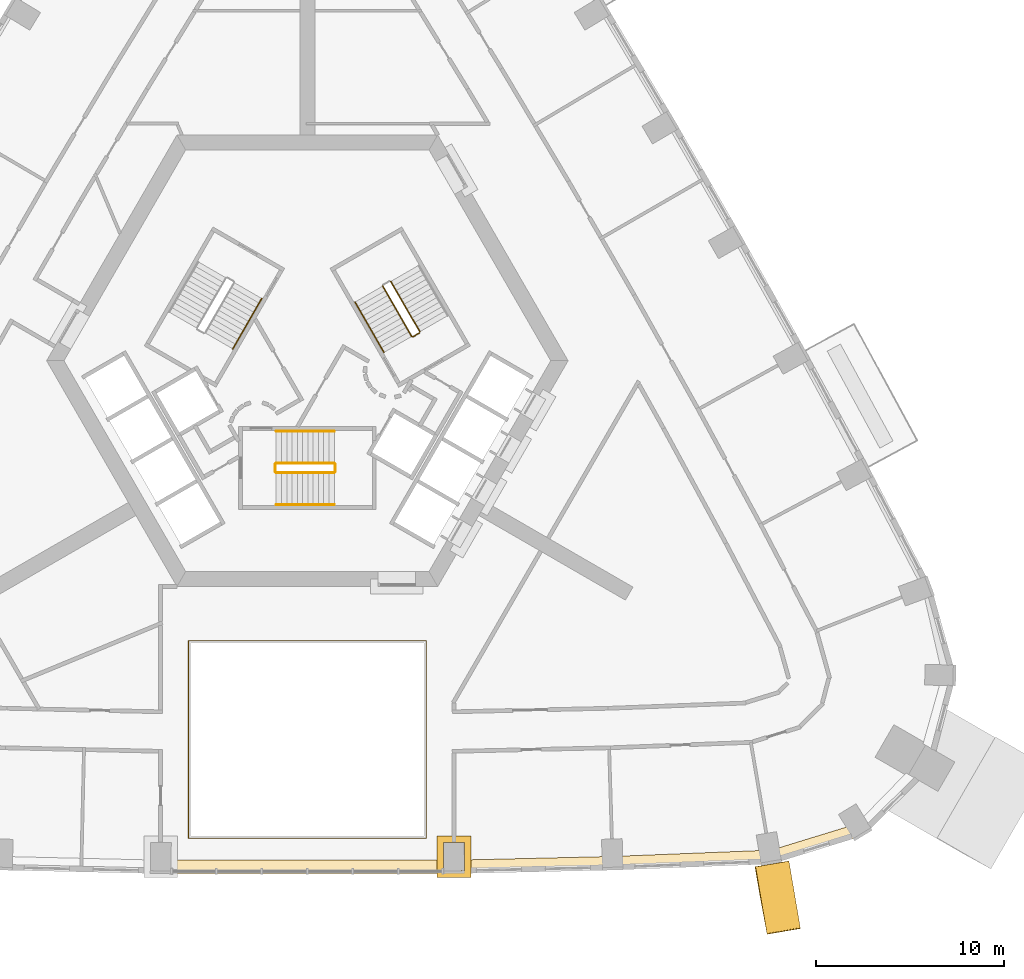
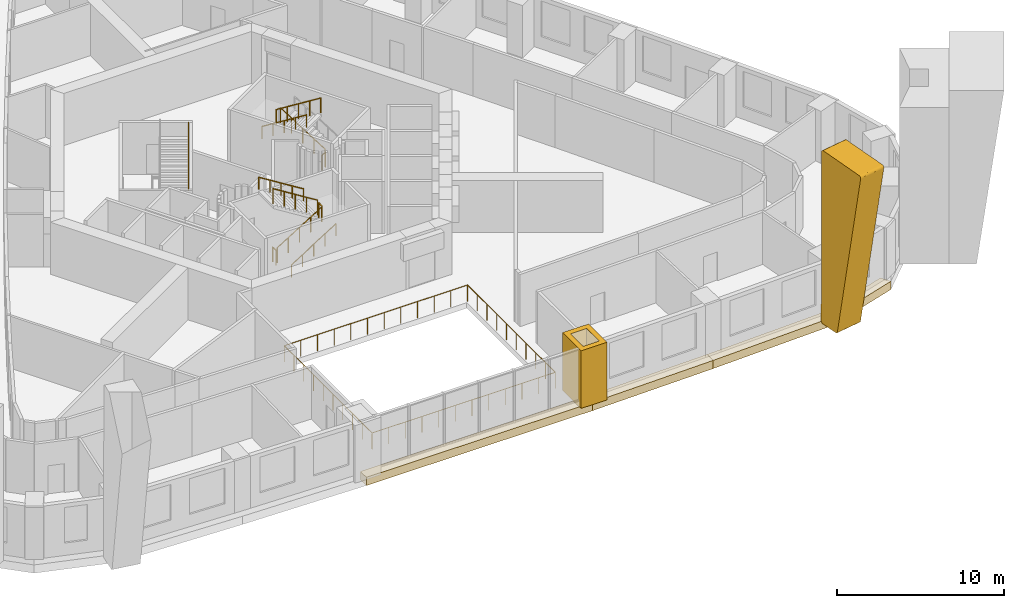
# One storey, part 13 of 15: 12 railings, 6 coverings.
"""IFC4 building model written with IfcOpenShell, lengths in metres."""

from ifc_helpers import new_model, si_unit, direction, frame, origin, origin_2d, place, context, subcontext, project, spatial, polyline, circle, outline, extrude, material, type_object, element, save


model = new_model("IFC4")

# Units and contexts
model_context = context("Model", 3, precision=1e-05, world=origin(), true_north=direction((0.0, 1.0)))
body_context = subcontext(model_context, "Body", "Model", "MODEL_VIEW")
ifc_project = project(units=[si_unit("LENGTHUNIT", "METRE"), si_unit("AREAUNIT", "SQUARE_METRE"), si_unit("VOLUMEUNIT", "CUBIC_METRE"), si_unit("PLANEANGLEUNIT", "RADIAN"), si_unit("MASSUNIT", "GRAM", prefix="KILO")], contexts=[model_context])

# Site, building, storey
site_placement = place(None, origin())
site = spatial("IfcSite", under=ifc_project, at=site_placement, CompositionType="ELEMENT")
building_placement = place(site_placement, origin())
building = spatial("IfcBuilding", under=site, at=building_placement, Name="Entoto Arch Interchange Tower", CompositionType="ELEMENT")
storey_placement = place(building_placement, frame((0.0, 0.0, 150.800048828125)))
storey = spatial("IfcBuildingStorey", under=building, at=storey_placement, Name="L33", CompositionType="ELEMENT", Elevation=150.800048828125)

# Railing
ifc_material_1 = material(Name="Stainless steel 1.4301", Category="steel")
railing_type_1 = type_object("IfcRailingType", Name="ATRIUM GUARD 1200 STEEL AND GLASS", PredefinedType="GUARDRAIL", material=ifc_material_1)
railing_1_placement = place(storey_placement, frame((6.320068359375, -22.876953125, 0.0)))
element("IfcRailing", 1, at=railing_1_placement, inside=storey, type_object=railing_type_1, Name="Atrium guard L33", PredefinedType="GUARDRAIL", context=body_context, shape_type="SweptSolid", body=[
    extrude(circle(Radius=0.02392578125, at=origin_2d()), frame((0.0, 0.0, 1.17578125), z_axis=(-1.0, 0.0, 0.0), x_axis=(0.0, -1.0, 0.0)), (0.0, 0.0, 1.0), 12.64013671875),
    extrude(circle(Radius=0.02392578125, at=origin_2d()), frame((-12.64013671875, 0.0, 1.17578125), z_axis=(0.0, 1.0, 0.0), x_axis=(-1.0, 0.0, 0.0)), (0.0, 0.0, 1.0), 10.4970703125),
    extrude(circle(Radius=0.02392578125, at=origin_2d()), frame((-12.64013671875, 10.4970703125, 1.17578125), z_axis=(1.0, 0.0, 0.0), x_axis=(0.0, 1.0, 0.0)), (0.0, 0.0, 1.0), 12.64013671875),
    extrude(circle(Radius=0.02392578125, at=origin_2d()), frame((0.0, 10.4970703125, 1.17578125), z_axis=(0.0, -1.0, 0.0), x_axis=(1.0, 0.0, 0.0)), (0.0, 0.0, 1.0), 10.4970703125),
    extrude(circle(Radius=0.02099609375, at=origin_2d()), origin(), (0.0, 0.0, 1.0), 1.15185546875),
    extrude(circle(Radius=0.02099609375, at=origin_2d()), frame((-1.149169921875, 0.0, 0.0)), (0.0, 0.0, 1.0), 1.15185546875),
    extrude(circle(Radius=0.02099609375, at=origin_2d()), frame((-2.298095703125, 0.0, 0.0)), (0.0, 0.0, 1.0), 1.15185546875),
    extrude(circle(Radius=0.02099609375, at=origin_2d()), frame((-3.447265625, 0.0, 0.0)), (0.0, 0.0, 1.0), 1.15185546875),
    extrude(circle(Radius=0.02099609375, at=origin_2d()), frame((-4.596435546875, 0.0, 0.0)), (0.0, 0.0, 1.0), 1.15185546875),
    extrude(circle(Radius=0.02099609375, at=origin_2d()), frame((-5.74560546875, 0.0, 0.0)), (0.0, 0.0, 1.0), 1.15185546875),
    extrude(circle(Radius=0.02099609375, at=origin_2d()), frame((-6.89453125, 0.0, 0.0)), (0.0, 0.0, 1.0), 1.15185546875),
    extrude(circle(Radius=0.02099609375, at=origin_2d()), frame((-8.043701171875, 0.0, 0.0)), (0.0, 0.0, 1.0), 1.15185546875),
    extrude(circle(Radius=0.02099609375, at=origin_2d()), frame((-9.19287109375, 0.0, 0.0)), (0.0, 0.0, 1.0), 1.15185546875),
    extrude(circle(Radius=0.02099609375, at=origin_2d()), frame((-10.342041015625, 0.0, 0.0)), (0.0, 0.0, 1.0), 1.15185546875),
    extrude(circle(Radius=0.02099609375, at=origin_2d()), frame((-11.490966796875, 0.0, 0.0)), (0.0, 0.0, 1.0), 1.15185546875),
    extrude(circle(Radius=0.02099609375, at=origin_2d()), frame((-12.64013671875, 0.0, 0.0)), (0.0, 0.0, 1.0), 1.15185546875),
    extrude(circle(Radius=0.02099609375, at=origin_2d()), frame((-12.64013671875, 1.166259765625, 0.0)), (0.0, 0.0, 1.0), 1.15185546875),
    extrude(circle(Radius=0.02099609375, at=origin_2d()), frame((-12.64013671875, 2.332763671875, 0.0)), (0.0, 0.0, 1.0), 1.15185546875),
    extrude(circle(Radius=0.02099609375, at=origin_2d()), frame((-12.64013671875, 3.4990234375, 0.0)), (0.0, 0.0, 1.0), 1.15185546875),
    extrude(circle(Radius=0.02099609375, at=origin_2d()), frame((-12.64013671875, 4.665283203125, 0.0)), (0.0, 0.0, 1.0), 1.15185546875),
    extrude(circle(Radius=0.02099609375, at=origin_2d()), frame((-12.64013671875, 5.831787109375, 0.0)), (0.0, 0.0, 1.0), 1.15185546875),
    extrude(circle(Radius=0.02099609375, at=origin_2d()), frame((-12.64013671875, 6.998046875, 0.0)), (0.0, 0.0, 1.0), 1.15185546875),
    extrude(circle(Radius=0.02099609375, at=origin_2d()), frame((-12.64013671875, 8.164306640625, 0.0)), (0.0, 0.0, 1.0), 1.15185546875),
    extrude(circle(Radius=0.02099609375, at=origin_2d()), frame((-12.64013671875, 9.330810546875, 0.0)), (0.0, 0.0, 1.0), 1.15185546875),
    extrude(circle(Radius=0.02099609375, at=origin_2d()), frame((-12.64013671875, 10.4970703125, 0.0)), (0.0, 0.0, 1.0), 1.15185546875),
    extrude(circle(Radius=0.02099609375, at=origin_2d()), frame((-11.490966796875, 10.4970703125, 0.0)), (0.0, 0.0, 1.0), 1.15185546875),
    extrude(circle(Radius=0.02099609375, at=origin_2d()), frame((-10.342041015625, 10.4970703125, 0.0)), (0.0, 0.0, 1.0), 1.15185546875),
    extrude(circle(Radius=0.02099609375, at=origin_2d()), frame((-9.19287109375, 10.4970703125, 0.0)), (0.0, 0.0, 1.0), 1.15185546875),
    extrude(circle(Radius=0.02099609375, at=origin_2d()), frame((-8.043701171875, 10.4970703125, 0.0)), (0.0, 0.0, 1.0), 1.15185546875),
    extrude(circle(Radius=0.02099609375, at=origin_2d()), frame((-6.89453125, 10.4970703125, 0.0)), (0.0, 0.0, 1.0), 1.15185546875),
    extrude(circle(Radius=0.02099609375, at=origin_2d()), frame((-5.74560546875, 10.4970703125, 0.0)), (0.0, 0.0, 1.0), 1.15185546875),
    extrude(circle(Radius=0.02099609375, at=origin_2d()), frame((-4.596435546875, 10.4970703125, 0.0)), (0.0, 0.0, 1.0), 1.15185546875),
    extrude(circle(Radius=0.02099609375, at=origin_2d()), frame((-3.447265625, 10.4970703125, 0.0)), (0.0, 0.0, 1.0), 1.15185546875),
    extrude(circle(Radius=0.02099609375, at=origin_2d()), frame((-2.298095703125, 10.4970703125, 0.0)), (0.0, 0.0, 1.0), 1.15185546875),
    extrude(circle(Radius=0.02099609375, at=origin_2d()), frame((-1.149169921875, 10.4970703125, 0.0)), (0.0, 0.0, 1.0), 1.15185546875),
    extrude(circle(Radius=0.02099609375, at=origin_2d()), frame((0.0, 10.4970703125, 0.0)), (0.0, 0.0, 1.0), 1.15185546875),
    extrude(circle(Radius=0.02099609375, at=origin_2d()), frame((0.0, 9.330810546875, 0.0)), (0.0, 0.0, 1.0), 1.15185546875),
    extrude(circle(Radius=0.02099609375, at=origin_2d()), frame((0.0, 8.164306640625, 0.0)), (0.0, 0.0, 1.0), 1.15185546875),
    extrude(circle(Radius=0.02099609375, at=origin_2d()), frame((0.0, 6.998046875, 0.0)), (0.0, 0.0, 1.0), 1.15185546875),
    extrude(circle(Radius=0.02099609375, at=origin_2d()), frame((0.0, 5.831787109375, 0.0)), (0.0, 0.0, 1.0), 1.15185546875),
    extrude(circle(Radius=0.02099609375, at=origin_2d()), frame((0.0, 4.665283203125, 0.0)), (0.0, 0.0, 1.0), 1.15185546875),
    extrude(circle(Radius=0.02099609375, at=origin_2d()), frame((0.0, 3.4990234375, 0.0)), (0.0, 0.0, 1.0), 1.15185546875),
    extrude(circle(Radius=0.02099609375, at=origin_2d()), frame((0.0, 2.332763671875, 0.0)), (0.0, 0.0, 1.0), 1.15185546875),
    extrude(circle(Radius=0.02099609375, at=origin_2d()), frame((0.0, 1.166259765625, 0.0)), (0.0, 0.0, 1.0), 1.15185546875),
])

# Coverings
ifc_material_2 = material(Name="Board-marked precast concrete C50/60", Category="concrete")
covering_type_1 = type_object("IfcCoveringType", Name="PRECAST FRAME COURSE", PredefinedType="CLADDING", material=ifc_material_2)
covering_1_placement = place(storey_placement, frame((23.806884765625, -24.541015625, -0.400146484375), z_axis=(-0.985756546271, -0.168152264257, 0.002974476371), x_axis=(-0.166871384591, 0.980142520278, 0.107119470439)))
element("IfcCovering", 2, at=covering_1_placement, inside=storey, type_object=covering_type_1, Name="Fold rib S06 L33-L35", PredefinedType="CLADDING", context=body_context, shape_type="SweptSolid", body=[
    extrude(outline(polyline([(0.0, 0.0), (0.02963060076187693, 4.336808689942018e-19), (0.05760446013113423, -0.004842887867986544), (0.0854181790015629, -0.016089183901578423), (0.10964622774978716, -0.03263148020864722), (0.13129898038714857, -0.053380763590021044), (0.1470795439901717, -0.07770987449791829), (0.15910383546700593, -0.10465457240726114), (0.16525042061444467, -0.13321167288811095), (1.4826149598529654, -12.36256836738945), (1.481177082932468, -12.406922530597212), (1.4662077328527283, -12.44782277498324), (1.4406869524388017, -12.483721865618584), (1.4055913218200977, -12.510587203943208), (1.3782431136058442, -12.521635042243782), (1.3495056108130217, -12.527677753500083), (-1.9780020281978015, -12.886183654812212), (-2.020995624487348, -12.884676723648356), (-2.0495487552521086, -12.876703942024463), (-2.0753919061563666, -12.86352757562328), (-2.0976472625660083, -12.84578863456277), (-2.1162530800797232, -12.823729741719866), (-2.1358087144468345, -12.784582000552293), (-2.1429124700242324, -12.756127534216196), (-2.1441102426853598, -12.727036825714443), (-1.3408538431317238, -0.2552082765175158), (-1.3270508811976442, -0.21246878794264573), (-1.3004382466041189, -0.17547046545956121), (-1.2655819085929045, -0.14863078567112628), (-1.223248656492751, -0.1327752539433725), (0.0, 0.0)])), origin(), (0.0, 0.0, -1.0), 1.800048828125),
])
covering_2_placement = place(storey_placement, frame((0.0, 0.0, -0.400146484375)))
element("IfcCovering", 3, at=covering_2_placement, inside=storey, type_object=covering_type_1, Name="Gate pier L33", PredefinedType="CLADDING", context=body_context, shape_type="SweptSolid", body=[
    extrude(outline(polyline([(6.888916015625, -22.757080078125), (8.68896484375, -22.757080078125), (8.68896484375, -24.95703125), (6.888916015625, -24.95703125), (6.888916015625, -22.757080078125)]), holes=[polyline([(7.239013671875, -23.10693359375), (7.239013671875, -24.60693359375), (8.339111328125, -24.60693359375), (8.339111328125, -23.10693359375), (7.239013671875, -23.10693359375)])]), origin(), (0.0, 0.0, 1.0), 4.2001953125),
])
covering_type_2 = type_object("IfcCoveringType", Name="PRECAST LEDGE COURSE", PredefinedType="CLADDING", material=ifc_material_2)
covering_3_placement = place(storey_placement, frame((0.0, 0.0, -1.0)))
element("IfcCovering", 4, at=covering_3_placement, inside=storey, type_object=covering_type_2, Name="Precast course S-03 L33", PredefinedType="CLADDING", context=body_context, shape_type="SweptSolid", body=[
    extrude(outline(polyline([(7.800048828125, -24.041015625), (7.800048828125, -24.757080078125), (-7.800048828125, -24.757080078125), (-7.800048828125, -24.041015625), (7.800048828125, -24.041015625)])), origin(), (0.0, 0.0, 1.0), 0.599853515625),
])
covering_4_placement = place(storey_placement, frame((0.0, 0.0, -1.0)))
element("IfcCovering", 5, at=covering_4_placement, inside=storey, type_object=covering_type_2, Name="Precast course S-04 L33", PredefinedType="CLADDING", context=body_context, shape_type="SweptSolid", body=[
    extrude(outline(polyline([(16.23388671875, -23.842041015625), (16.23388671875, -24.56591796875), (7.800048828125, -24.757080078125), (7.800048828125, -24.041015625), (16.23388671875, -23.842041015625)])), origin(), (0.0, 0.0, 1.0), 0.599853515625),
])
covering_5_placement = place(storey_placement, frame((0.0, 0.0, -1.0)))
element("IfcCovering", 6, at=covering_5_placement, inside=storey, type_object=covering_type_2, Name="Precast course S-05 L33", PredefinedType="CLADDING", context=body_context, shape_type="SweptSolid", body=[
    extrude(outline(polyline([(24.6689453125, -23.5048828125), (24.6689453125, -24.241943359375), (16.23388671875, -24.56591796875), (16.23388671875, -23.842041015625), (24.6689453125, -23.5048828125)])), origin(), (0.0, 0.0, 1.0), 0.599853515625),
])
covering_6_placement = place(storey_placement, frame((0.0, 0.0, -1.0)))
element("IfcCovering", 7, at=covering_6_placement, inside=storey, type_object=covering_type_2, Name="Precast course SE-01 L33", PredefinedType="CLADDING", context=body_context, shape_type="SweptSolid", body=[
    extrude(outline(polyline([(29.176025390625, -22.1201171875), (29.551025390625, -22.735107421875), (24.6689453125, -24.241943359375), (24.6689453125, -23.5048828125), (29.176025390625, -22.1201171875)])), origin(), (0.0, 0.0, 1.0), 0.599853515625),
])

# Railings
railing_type_2 = type_object("IfcRailingType", Name="STAIR GUARD 1100 STEEL", PredefinedType="GUARDRAIL", material=ifc_material_1)
railing_2_placement = place(storey_placement, frame((-1.64990234375, -3.449951171875, 0.175048828125)))
element("IfcRailing", 8, at=railing_2_placement, inside=storey, type_object=railing_type_2, Name="L33 ST-S stair guard 1", PredefinedType="GUARDRAIL", context=body_context, shape_type="SweptSolid", body=[
    extrude(circle(Radius=0.02392578125, at=origin_2d()), frame((0.0, 0.0, 1.076171875), z_axis=(0.848009633417, 0.0, 0.529980812513), x_axis=(0.0, 1.0, 0.0)), (0.0, 0.0, 1.0), 3.6318359375),
    extrude(circle(Radius=0.02099609375, at=origin_2d()), origin(), (0.0, 0.0, 1.0), 1.052001953125),
    extrude(circle(Radius=0.02099609375, at=origin_2d()), frame((0.77001953125, 0.0, 0.481201171875)), (0.0, 0.0, 1.0), 1.052001953125),
    extrude(circle(Radius=0.02099609375, at=origin_2d()), frame((1.5400390625, 0.0, 0.96240234375)), (0.0, 0.0, 1.0), 1.052001953125),
    extrude(circle(Radius=0.02099609375, at=origin_2d()), frame((2.309814453125, 0.0, 1.443603515625)), (0.0, 0.0, 1.0), 1.052001953125),
    extrude(circle(Radius=0.02099609375, at=origin_2d()), frame((3.079833984375, 0.0, 1.9248046875)), (0.0, 0.0, 1.0), 1.052001953125),
])
railing_3_placement = place(storey_placement, frame((1.47998046875, -3.39990234375, 2.099853515625)))
element("IfcRailing", 9, at=railing_3_placement, inside=storey, type_object=railing_type_2, Name="L33 ST-S stair guard 2", PredefinedType="GUARDRAIL", context=body_context, shape_type="SweptSolid", body=[
    extrude(circle(Radius=0.02392578125, at=origin_2d()), frame((0.0, 0.0, 1.076171875), z_axis=(0.0, 1.0, 0.0), x_axis=(-1.0, 0.0, 0.0)), (0.0, 0.0, 1.0), 0.39990234375),
    extrude(circle(Radius=0.02099609375, at=origin_2d()), origin(), (0.0, 0.0, 1.0), 1.052001953125),
    extrude(circle(Radius=0.02099609375, at=origin_2d()), frame((0.0, 0.39990234375, 0.0)), (0.0, 0.0, 1.0), 1.052001953125),
])
railing_4_placement = place(storey_placement, frame((1.429931640625, -2.949951171875, 2.27490234375)))
element("IfcRailing", 10, at=railing_4_placement, inside=storey, type_object=railing_type_2, Name="L33 ST-S stair guard 3", PredefinedType="GUARDRAIL", context=body_context, shape_type="SweptSolid", body=[
    extrude(circle(Radius=0.02392578125, at=origin_2d()), frame((0.0, 0.0, 1.076171875), z_axis=(-0.847979421464, 0.0, 0.530029150871), x_axis=(0.0, -1.0, 0.0)), (0.0, 0.0, 1.0), 3.632080078125),
    extrude(circle(Radius=0.02099609375, at=origin_2d()), origin(), (0.0, 0.0, 1.0), 1.052001953125),
    extrude(circle(Radius=0.02099609375, at=origin_2d()), frame((-0.77001953125, 0.0, 0.481201171875)), (0.0, 0.0, 1.0), 1.052001953125),
    extrude(circle(Radius=0.02099609375, at=origin_2d()), frame((-1.5400390625, 0.0, 0.96240234375)), (0.0, 0.0, 1.0), 1.052001953125),
    extrude(circle(Radius=0.02099609375, at=origin_2d()), frame((-2.309814453125, 0.0, 1.44384765625)), (0.0, 0.0, 1.0), 1.052001953125),
    extrude(circle(Radius=0.02099609375, at=origin_2d()), frame((-3.079833984375, 0.0, 1.925048828125)), (0.0, 0.0, 1.0), 1.052001953125),
])
railing_5_placement = place(storey_placement, frame((-1.699951171875, -3.39990234375, 0.0)))
element("IfcRailing", 11, at=railing_5_placement, inside=storey, type_object=railing_type_2, Name="L33 ST-S stair guard 4", PredefinedType="GUARDRAIL", context=body_context, shape_type="SweptSolid", body=[
    extrude(circle(Radius=0.02392578125, at=origin_2d()), frame((0.0, 0.0, 1.076171875), z_axis=(0.0, 1.0, 0.0), x_axis=(-1.0, 0.0, 0.0)), (0.0, 0.0, 1.0), 0.39990234375),
    extrude(circle(Radius=0.02099609375, at=origin_2d()), origin(), (0.0, 0.0, 1.0), 1.052001953125),
    extrude(circle(Radius=0.02099609375, at=origin_2d()), frame((0.0, 0.39990234375, 0.0)), (0.0, 0.0, 1.0), 1.052001953125),
])
railing_6_placement = place(storey_placement, frame((5.977783203125, 4.046142578125, 0.175048828125)))
element("IfcRailing", 12, at=railing_6_placement, inside=storey, type_object=railing_type_2, Name="L33 ST-NE stair guard 1", PredefinedType="GUARDRAIL", context=body_context, shape_type="SweptSolid", body=[
    extrude(circle(Radius=0.02392578125, at=origin_2d()), frame((0.0, 0.0, 1.076171875), z_axis=(-0.42403051051, 0.734390191396, 0.529970917068), x_axis=(-0.866010015463, -0.500026652407, 0.0)), (0.0, 0.0, 1.0), 3.6318359375),
    extrude(circle(Radius=0.02099609375, at=origin_2d()), origin(), (0.0, 0.0, 1.0), 1.052001953125),
    extrude(circle(Radius=0.02099609375, at=origin_2d()), frame((-0.385009765625, 0.666748046875, 0.481201171875)), (0.0, 0.0, 1.0), 1.052001953125),
    extrude(circle(Radius=0.02099609375, at=origin_2d()), frame((-0.77001953125, 1.33349609375, 0.96240234375)), (0.0, 0.0, 1.0), 1.052001953125),
    extrude(circle(Radius=0.02099609375, at=origin_2d()), frame((-1.155029296875, 2.00048828125, 1.443603515625)), (0.0, 0.0, 1.0), 1.052001953125),
    extrude(circle(Radius=0.02099609375, at=origin_2d()), frame((-1.5400390625, 2.667236328125, 1.9248046875)), (0.0, 0.0, 1.0), 1.052001953125),
])
railing_7_placement = place(storey_placement, frame((4.0048828125, 6.46337890625, 2.27490234375)))
element("IfcRailing", 13, at=railing_7_placement, inside=storey, type_object=railing_type_2, Name="L33 ST-NE stair guard 3", PredefinedType="GUARDRAIL", context=body_context, shape_type="SweptSolid", body=[
    extrude(circle(Radius=0.02392578125, at=origin_2d()), frame((0.0, 0.0, 1.076171875), z_axis=(0.424015404183, -0.734364028329, 0.530019255228), x_axis=(0.866010015463, 0.500026652407, 0.0)), (0.0, 0.0, 1.0), 3.632080078125),
    extrude(circle(Radius=0.02099609375, at=origin_2d()), origin(), (0.0, 0.0, 1.0), 1.052001953125),
    extrude(circle(Radius=0.02099609375, at=origin_2d()), frame((0.385009765625, -0.666748046875, 0.481201171875)), (0.0, 0.0, 1.0), 1.052001953125),
    extrude(circle(Radius=0.02099609375, at=origin_2d()), frame((0.77001953125, -1.33349609375, 0.96240234375)), (0.0, 0.0, 1.0), 1.052001953125),
    extrude(circle(Radius=0.02099609375, at=origin_2d()), frame((1.155029296875, -2.00048828125, 1.44384765625)), (0.0, 0.0, 1.0), 1.052001953125),
    extrude(circle(Radius=0.02099609375, at=origin_2d()), frame((1.5400390625, -2.667236328125, 1.925048828125)), (0.0, 0.0, 1.0), 1.052001953125),
])
railing_8_placement = place(storey_placement, frame((5.95947265625, 3.977783203125, 0.0)))
element("IfcRailing", 14, at=railing_8_placement, inside=storey, type_object=railing_type_2, Name="L33 ST-NE stair guard 4", PredefinedType="GUARDRAIL", context=body_context, shape_type="SweptSolid", body=[
    extrude(circle(Radius=0.02392578125, at=origin_2d()), frame((0.0, 0.0, 1.076171875), z_axis=(-0.866094119867, -0.499880961361, 0.0), x_axis=(0.499880961361, -0.866094119867, 0.0)), (0.0, 0.0, 1.0), 0.39990234375),
    extrude(circle(Radius=0.02099609375, at=origin_2d()), origin(), (0.0, 0.0, 1.0), 1.052001953125),
    extrude(circle(Radius=0.02099609375, at=origin_2d()), frame((-0.346435546875, -0.199951171875, 0.0)), (0.0, 0.0, 1.0), 1.052001953125),
])
railing_type_3 = type_object("IfcRailingType", Name="STAIR HANDRAIL 900 STEEL", PredefinedType="HANDRAIL", material=ifc_material_1)
railing_9_placement = place(storey_placement, frame((-1.64990234375, -5.14990234375, 0.175048828125)))
element("IfcRailing", 15, at=railing_9_placement, inside=storey, type_object=railing_type_3, Name="L33 ST-S stair handrail 1", PredefinedType="HANDRAIL", context=body_context, shape_type="SweptSolid", body=[
    extrude(circle(Radius=0.02392578125, at=origin_2d()), frame((0.0, 0.0, 0.8759765625), z_axis=(0.848009633417, 0.0, 0.529980812513), x_axis=(0.0, 1.0, 0.0)), (0.0, 0.0, 1.0), 3.6318359375),
    extrude(circle(Radius=0.02099609375, at=origin_2d()), origin(), (0.0, 0.0, 1.0), 0.851806640625),
    extrude(circle(Radius=0.02099609375, at=origin_2d()), frame((0.77001953125, 0.0, 0.481201171875)), (0.0, 0.0, 1.0), 0.851806640625),
    extrude(circle(Radius=0.02099609375, at=origin_2d()), frame((1.5400390625, 0.0, 0.96240234375)), (0.0, 0.0, 1.0), 0.851806640625),
    extrude(circle(Radius=0.02099609375, at=origin_2d()), frame((2.309814453125, 0.0, 1.443603515625)), (0.0, 0.0, 1.0), 0.851806640625),
    extrude(circle(Radius=0.02099609375, at=origin_2d()), frame((3.079833984375, 0.0, 1.9248046875)), (0.0, 0.0, 1.0), 0.851806640625),
])
railing_10_placement = place(storey_placement, frame((1.429931640625, -1.25, 2.27490234375)))
element("IfcRailing", 16, at=railing_10_placement, inside=storey, type_object=railing_type_3, Name="L33 ST-S stair handrail 2", PredefinedType="HANDRAIL", context=body_context, shape_type="SweptSolid", body=[
    extrude(circle(Radius=0.02392578125, at=origin_2d()), frame((0.0, 0.0, 0.8759765625), z_axis=(-0.847979421464, 0.0, 0.530029150871), x_axis=(0.0, -1.0, 0.0)), (0.0, 0.0, 1.0), 3.632080078125),
    extrude(circle(Radius=0.02099609375, at=origin_2d()), origin(), (0.0, 0.0, 1.0), 0.851806640625),
    extrude(circle(Radius=0.02099609375, at=origin_2d()), frame((-0.77001953125, 0.0, 0.481201171875)), (0.0, 0.0, 1.0), 0.851806640625),
    extrude(circle(Radius=0.02099609375, at=origin_2d()), frame((-1.5400390625, 0.0, 0.96240234375)), (0.0, 0.0, 1.0), 0.851806640625),
    extrude(circle(Radius=0.02099609375, at=origin_2d()), frame((-2.309814453125, 0.0, 1.44384765625)), (0.0, 0.0, 1.0), 0.851806640625),
    extrude(circle(Radius=0.02099609375, at=origin_2d()), frame((-3.079833984375, 0.0, 1.925048828125)), (0.0, 0.0, 1.0), 0.851806640625),
])
railing_11_placement = place(storey_placement, frame((2.53271484375, 5.613525390625, 2.27490234375)))
element("IfcRailing", 17, at=railing_11_placement, inside=storey, type_object=railing_type_3, Name="L33 ST-NE stair handrail 2", PredefinedType="HANDRAIL", context=body_context, shape_type="SweptSolid", body=[
    extrude(circle(Radius=0.02392578125, at=origin_2d()), frame((0.0, 0.0, 0.8759765625), z_axis=(0.423939339791, -0.734415923031, 0.53000819633), x_axis=(0.866064153644, 0.499932877268, 0.0)), (0.0, 0.0, 1.0), 3.632080078125),
    extrude(circle(Radius=0.02099609375, at=origin_2d()), origin(), (0.0, 0.0, 1.0), 0.851806640625),
    extrude(circle(Radius=0.02099609375, at=origin_2d()), frame((0.385009765625, -0.6669921875, 0.481201171875)), (0.0, 0.0, 1.0), 0.851806640625),
    extrude(circle(Radius=0.02099609375, at=origin_2d()), frame((0.77001953125, -1.333740234375, 0.96240234375)), (0.0, 0.0, 1.0), 0.851806640625),
    extrude(circle(Radius=0.02099609375, at=origin_2d()), frame((1.15478515625, -2.00048828125, 1.44384765625)), (0.0, 0.0, 1.0), 0.851806640625),
    extrude(circle(Radius=0.02099609375, at=origin_2d()), frame((1.539794921875, -2.66748046875, 1.925048828125)), (0.0, 0.0, 1.0), 0.851806640625),
])
railing_12_placement = place(storey_placement, frame((-3.962646484375, 3.136474609375, 2.27490234375)))
element("IfcRailing", 18, at=railing_12_placement, inside=storey, type_object=railing_type_3, Name="L33 ST-NW stair handrail 2", PredefinedType="HANDRAIL", context=body_context, shape_type="SweptSolid", body=[
    extrude(circle(Radius=0.02392578125, at=origin_2d()), frame((0.0, 0.0, 0.8759765625), z_axis=(0.423994474112, 0.734394994316, 0.52999309264), x_axis=(-0.866029832698, 0.499992328818, 0.0)), (0.0, 0.0, 1.0), 3.63232421875),
    extrude(circle(Radius=0.02099609375, at=origin_2d()), origin(), (0.0, 0.0, 1.0), 0.851806640625),
    extrude(circle(Radius=0.02099609375, at=origin_2d()), frame((0.385009765625, 0.6669921875, 0.481201171875)), (0.0, 0.0, 1.0), 0.851806640625),
    extrude(circle(Radius=0.02099609375, at=origin_2d()), frame((0.77001953125, 1.333740234375, 0.96240234375)), (0.0, 0.0, 1.0), 0.851806640625),
    extrude(circle(Radius=0.02099609375, at=origin_2d()), frame((1.155029296875, 2.00048828125, 1.44384765625)), (0.0, 0.0, 1.0), 0.851806640625),
    extrude(circle(Radius=0.02099609375, at=origin_2d()), frame((1.5400390625, 2.66748046875, 1.925048828125)), (0.0, 0.0, 1.0), 0.851806640625),
])

save(model, "model.ifc")
